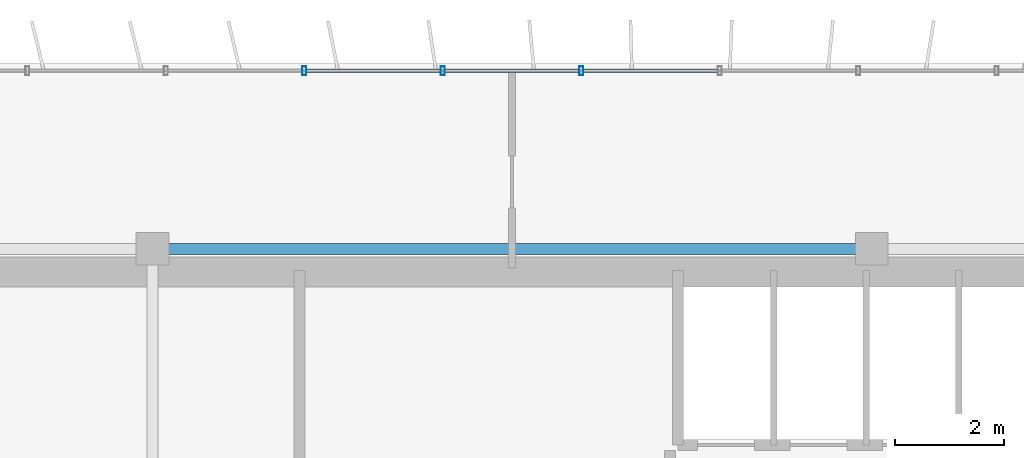
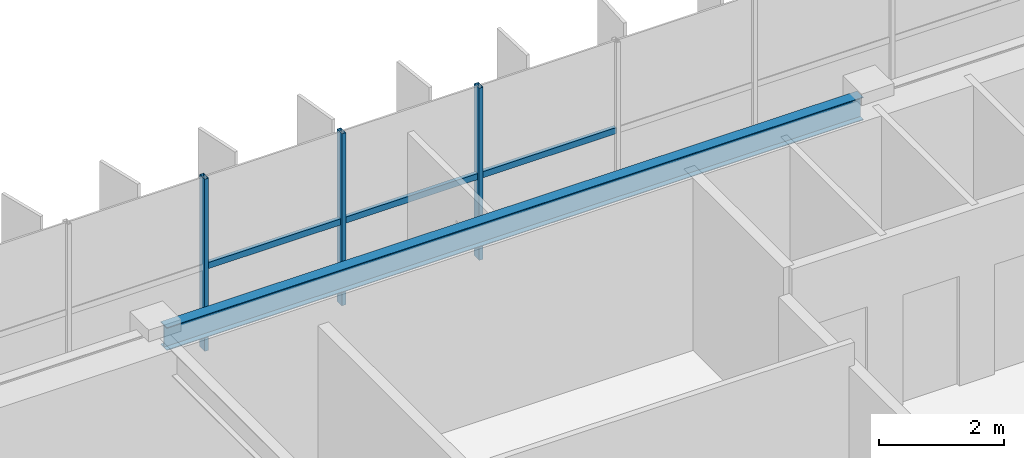
# One storey, part 9 of 22: 6 members, 1 beam, 1 element without a shape of its own.
"""IFC4 building model written with IfcOpenShell, lengths in metres."""

from ifc_helpers import new_model, si_unit, direction, frame, origin, origin_2d, place, context, subcontext, project, spatial, hollow_rectangle, i_section, extrude, source, transform, mapped, material, material_profile, profile_set, type_object, element, aggregate, save


model = new_model("IFC4")

# Units and contexts
model_context = context("Model", 3, precision=1e-05, world=origin(), true_north=direction((0.0, 1.0)))
body_context = subcontext(model_context, "Body", "Model", "MODEL_VIEW")
ifc_project = project(units=[si_unit("LENGTHUNIT", "METRE"), si_unit("AREAUNIT", "SQUARE_METRE"), si_unit("VOLUMEUNIT", "CUBIC_METRE"), si_unit("PLANEANGLEUNIT", "RADIAN"), si_unit("MASSUNIT", "GRAM", prefix="KILO")], contexts=[model_context])

# Site, building, storey
site_placement = place(None, origin())
site = spatial("IfcSite", under=ifc_project, at=site_placement, CompositionType="ELEMENT")
building_placement = place(site_placement, origin())
building = spatial("IfcBuilding", under=site, at=building_placement, Name="Trelvane Seafront Commons", CompositionType="ELEMENT")
storey_placement = place(building_placement, frame((0.0, 0.0, 284.699951171875)))
storey = spatial("IfcBuildingStorey", under=building, at=storey_placement, Name="L74", CompositionType="ELEMENT", Elevation=284.699951171875)

# Beam
ifc_material_1 = material(Name="Steel SM355 (S355)", Category="steel")
ifc_material_profile_1 = material_profile(ifc_material_1, i_section(OverallWidth=0.199951171875, OverallDepth=0.449951171875, WebThickness=0.009033203125, FlangeThickness=0.013916015625, at=origin_2d()), Name="H-450x200x9x14")
ifc_profile_set_1 = profile_set([ifc_material_profile_1], Name="Steel SM355 (S355)")
beam_type = type_object("IfcBeamType", Name="STR-SPD-H450", PredefinedType="SPANDREL", material=ifc_profile_set_1)
shared_shape_1 = source(origin(), body_context, "Body", "SweptSolid", [
    extrude(i_section(OverallWidth=0.199951171875, OverallDepth=0.449951171875, WebThickness=0.009033203125, FlangeThickness=0.013916015625, at=origin_2d()), origin(), (0.0, 0.0, 1.0), 12.89990234375),
])
beam_placement = place(storey_placement, frame((30.75, 45.10009765625, 3.14501953125), z_axis=(1.0, 0.0, 0.0), x_axis=(0.0, 1.0, 0.0)))
element("IfcBeam", 1, at=beam_placement, inside=storey, type_object=beam_type, Name="L74 Primary Girder G-25", PredefinedType="SPANDREL", context=body_context, shape_type="MappedRepresentation", body=[
    mapped(shared_shape_1, transform((0.0, 0.0, 0.0), x_axis=(1.0, 0.0, 0.0), y_axis=(0.0, 1.0, 0.0), z_axis=(0.0, 0.0, 1.0), scale=1.0)),
])

# Curtain wall, members
ifc_material_2 = material(Name="Anodised pale-silver aluminium", Category="aluminium")
curtain_wall_type = type_object("IfcCurtainWallType", Name="ARCH-CW5-UPTOWER", PredefinedType="NOTDEFINED", material=ifc_material_2)
curtain_wall_placement = place(storey_placement, origin())
curtain_wall = element("IfcCurtainWall", 2, at=curtain_wall_placement, inside=storey, type_object=curtain_wall_type, Name="CW-L74-0118", PredefinedType="NOTDEFINED")
ifc_material_profile_2 = material_profile(ifc_material_2, hollow_rectangle(XDim=0.070068359375, YDim=0.1201171875, WallThickness=0.00390625, at=origin_2d()), Name="TRAN-70x120x4")
ifc_profile_set_2 = profile_set([ifc_material_profile_2], Name="Anodised pale-silver aluminium")
member_type_1 = type_object("IfcMemberType", Name="ARCH-CW-TRAN-120", PredefinedType="USERDEFINED", material=ifc_profile_set_2)
shared_shape_2 = source(origin(), body_context, "Body", "SweptSolid", [
    extrude(hollow_rectangle(XDim=0.070068359375, YDim=0.1201171875, WallThickness=0.00390625, at=origin_2d()), origin(), (0.0, 0.0, 1.0), 2.51708984375),
])
member_1_placement = place(storey_placement, frame((35.94140625, 48.3701171875, 1.6181640625), z_axis=(1.0, 0.0, 0.0), x_axis=(0.0, 1.0, 0.0)))
member_1 = element("IfcMember", 3, at=member_1_placement, type_object=member_type_1, Name="CW-L74-0118-T08", ObjectType="TRANSOM", PredefinedType="USERDEFINED", context=body_context, shape_type="MappedRepresentation", body=[
    mapped(shared_shape_2, transform((0.0, 0.0, 0.0), x_axis=(1.0, 0.0, 0.0), y_axis=(0.0, 1.0, 0.0), z_axis=(0.0, 0.0, 1.0), scale=1.0)),
])
member_2_placement = place(storey_placement, frame((38.482666015625, 48.3701171875, 1.6181640625), z_axis=(1.0, 0.0, 0.0), x_axis=(0.0, 1.0, 0.0)))
member_2 = element("IfcMember", 4, at=member_2_placement, type_object=member_type_1, Name="CW-L74-0118-T09", ObjectType="TRANSOM", PredefinedType="USERDEFINED", context=body_context, shape_type="MappedRepresentation", body=[
    mapped(shared_shape_2, transform((0.0, 0.0, 0.0), x_axis=(1.0, 0.0, 0.0), y_axis=(0.0, 1.0, 0.0), z_axis=(0.0, 0.0, 1.0), scale=1.0)),
])
shared_shape_3 = source(origin(), body_context, "Body", "SweptSolid", [
    extrude(hollow_rectangle(XDim=0.070068359375, YDim=0.1201171875, WallThickness=0.00390625, at=origin_2d()), origin(), (0.0, 0.0, 1.0), 2.517333984375),
])
member_3_placement = place(storey_placement, frame((33.400146484375, 48.3701171875, 1.6181640625), z_axis=(1.0, 0.0, 0.0), x_axis=(0.0, 1.0, 0.0)))
member_3 = element("IfcMember", 5, at=member_3_placement, type_object=member_type_1, Name="CW-L74-0118-T07", ObjectType="TRANSOM", PredefinedType="USERDEFINED", context=body_context, shape_type="MappedRepresentation", body=[
    mapped(shared_shape_3, transform((0.0, 0.0, 0.0), x_axis=(1.0, 0.0, 0.0), y_axis=(0.0, 1.0, 0.0), z_axis=(0.0, 0.0, 1.0), scale=1.0)),
])
ifc_material_profile_3 = material_profile(ifc_material_2, hollow_rectangle(XDim=0.074951171875, YDim=0.159912109375, WallThickness=0.00390625, at=origin_2d()), Name="MULL-75x160x4")
ifc_profile_set_3 = profile_set([ifc_material_profile_3], Name="Anodised pale-silver aluminium")
member_type_2 = type_object("IfcMemberType", Name="ARCH-CW-MULL-160", PredefinedType="MULLION", material=ifc_profile_set_3)
shared_shape_4 = source(origin(), body_context, "Body", "SweptSolid", [
    extrude(hollow_rectangle(XDim=0.074951171875, YDim=0.159912109375, WallThickness=0.00390625, at=origin_2d()), origin(), (0.0, 0.0, 1.0), 3.3701171875),
])
member_4_placement = place(storey_placement, frame((33.38818359375, 48.3701171875, 0.0), z_axis=(0.0, 0.0, 1.0), x_axis=(1.0, 0.0, 0.0)))
member_4 = element("IfcMember", 6, at=member_4_placement, type_object=member_type_2, Name="CW-L74-0118-M07", PredefinedType="MULLION", context=body_context, shape_type="MappedRepresentation", body=[
    mapped(shared_shape_4, transform((0.0, 0.0, 0.0), x_axis=(1.0, 0.0, 0.0), y_axis=(0.0, 1.0, 0.0), z_axis=(0.0, 0.0, 1.0), scale=1.0)),
])
member_5_placement = place(storey_placement, frame((35.929443359375, 48.3701171875, 0.0), z_axis=(0.0, 0.0, 1.0), x_axis=(1.0, 0.0, 0.0)))
member_5 = element("IfcMember", 7, at=member_5_placement, type_object=member_type_2, Name="CW-L74-0118-M08", PredefinedType="MULLION", context=body_context, shape_type="MappedRepresentation", body=[
    mapped(shared_shape_4, transform((0.0, 0.0, 0.0), x_axis=(1.0, 0.0, 0.0), y_axis=(0.0, 1.0, 0.0), z_axis=(0.0, 0.0, 1.0), scale=1.0)),
])
member_6_placement = place(storey_placement, frame((38.470703125, 48.3701171875, 0.0), z_axis=(0.0, 0.0, 1.0), x_axis=(1.0, 0.0, 0.0)))
member_6 = element("IfcMember", 8, at=member_6_placement, type_object=member_type_2, Name="CW-L74-0118-M09", PredefinedType="MULLION", context=body_context, shape_type="MappedRepresentation", body=[
    mapped(shared_shape_4, transform((0.0, 0.0, 0.0), x_axis=(1.0, 0.0, 0.0), y_axis=(0.0, 1.0, 0.0), z_axis=(0.0, 0.0, 1.0), scale=1.0)),
])
aggregate(curtain_wall, [member_4, member_5, member_6, member_3, member_1, member_2])

save(model, "model.ifc")
